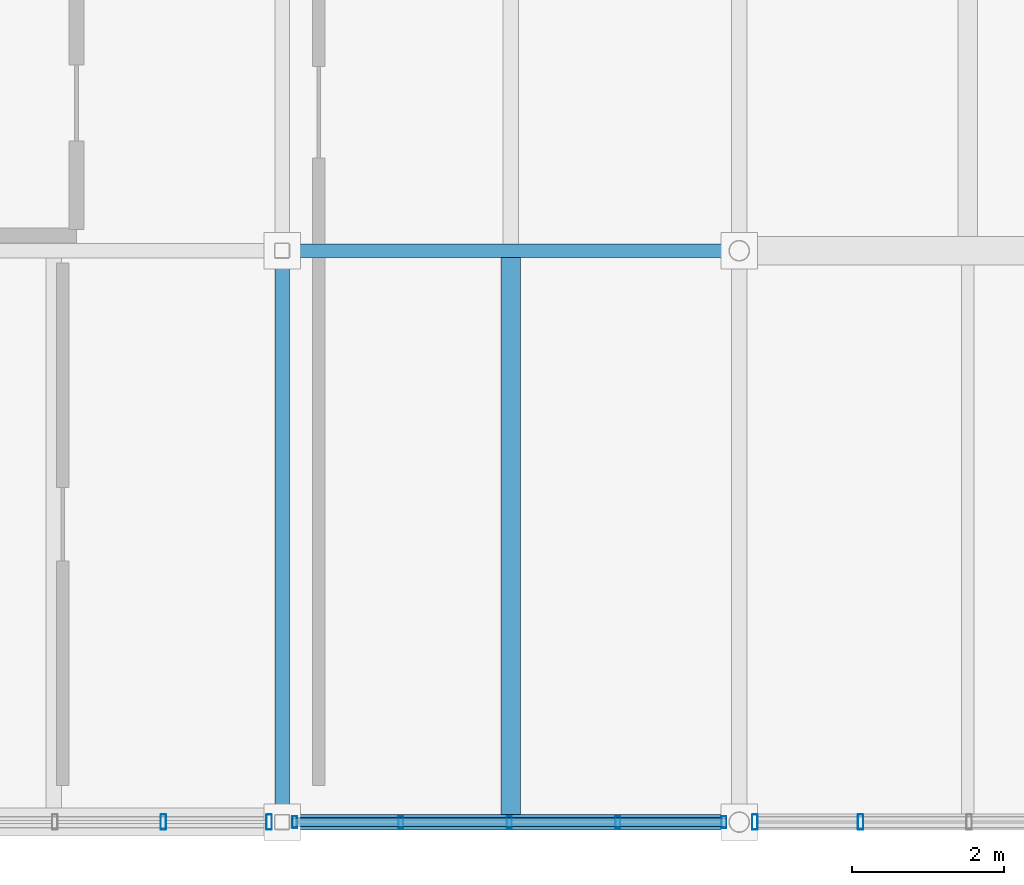
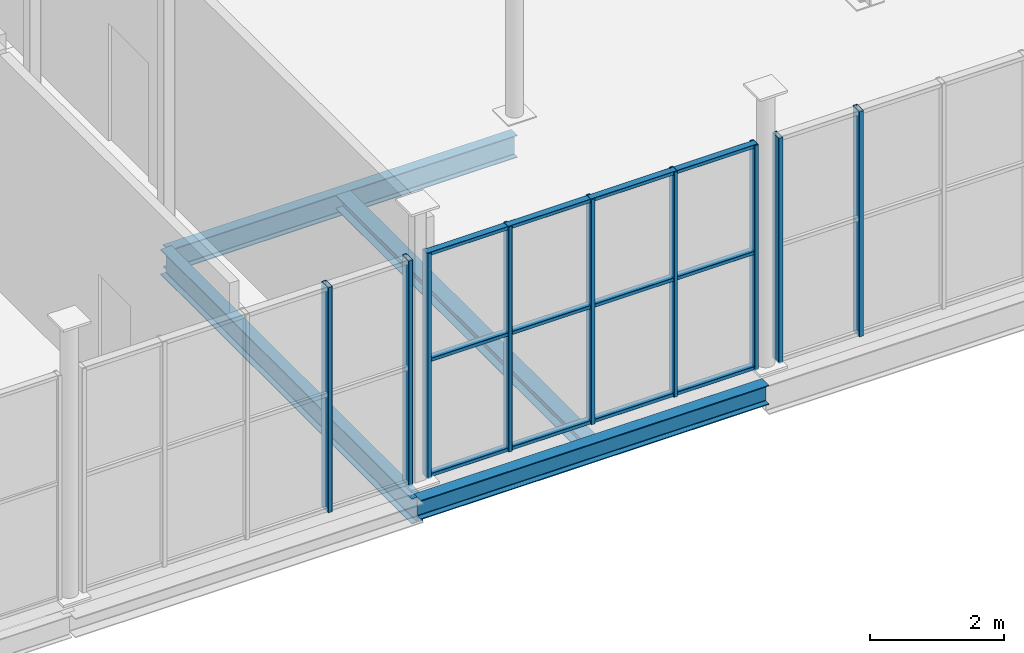
# One storey, part 9 of 27: 12 members, 4 beams, 3 elements without a shape of their own.
"""IFC4 building model written with IfcOpenShell, lengths in metres."""

from ifc_helpers import new_model, si_unit, direction, frame, origin, origin_2d, place, context, subcontext, project, spatial, hollow_rectangle, i_section, extrude, material, material_profile, profile_set, type_object, element, aggregate, save


model = new_model("IFC4")

# Units and contexts
model_context = context("Model", 3, precision=1e-05, world=origin(), true_north=direction((0.0, 1.0)))
body_context = subcontext(model_context, "Body", "Model", "MODEL_VIEW")
ifc_project = project(units=[si_unit("LENGTHUNIT", "METRE"), si_unit("AREAUNIT", "SQUARE_METRE"), si_unit("VOLUMEUNIT", "CUBIC_METRE"), si_unit("PLANEANGLEUNIT", "RADIAN"), si_unit("MASSUNIT", "GRAM", prefix="KILO")], contexts=[model_context])

# Site, building, storey
site_placement = place(None, origin())
site = spatial("IfcSite", under=ifc_project, at=site_placement, CompositionType="ELEMENT")
building_placement = place(site_placement, origin())
building = spatial("IfcBuilding", under=site, at=building_placement, Name="Verrall Gate Interchange", CompositionType="ELEMENT")
storey_placement = place(building_placement, frame((0.0, 0.0, 23.60009765625)))
storey = spatial("IfcBuildingStorey", under=building, at=storey_placement, Name="L06", CompositionType="ELEMENT", Elevation=23.60009765625)

# Beams
ifc_material_1 = material(Name="Structural Steel CSA G40.21 350W", Category="steel")
ifc_material_profile_1 = material_profile(ifc_material_1, i_section(OverallWidth=0.19189453125, OverallDepth=0.462890625, WebThickness=0.010498046875, FlangeThickness=0.017578125, FilletRadius=0.012939453125, at=origin_2d()), Name="W460x89")
ifc_profile_set_1 = profile_set([ifc_material_profile_1], Name="Structural Steel CSA G40.21 350W")
beam_type_1 = type_object("IfcBeamType", Name="B-11 Structural Beam W460x89", PredefinedType="BEAM", material=ifc_profile_set_1)
beam_1_placement = place(storey_placement, frame((18.0, 4.5, -0.5615234375), z_axis=(0.0, 1.0, 0.0), x_axis=(-1.0, 0.0, 0.0)))
element("IfcBeam", 1, at=beam_1_placement, inside=storey, type_object=beam_type_1, Name="L06 Girder BM-L06-3144 (B-11)", PredefinedType="BEAM", context=body_context, shape_type="SweptSolid", body=[
    extrude(i_section(OverallWidth=0.19189453125, OverallDepth=0.462890625, WebThickness=0.010498046875, FlangeThickness=0.017578125, FilletRadius=0.012939453125, at=origin_2d()), origin(), (0.0, 0.0, 1.0), 7.5),
])
ifc_material_2 = material(Name="Structural Steel CSA G40.21 350W", Category="steel")
ifc_material_profile_2 = material_profile(ifc_material_2, i_section(OverallWidth=0.178955078125, OverallDepth=0.409912109375, WebThickness=0.0087890625, FlangeThickness=0.014404296875, FilletRadius=0.011962890625, at=origin_2d()), Name="W410x67")
ifc_profile_set_2 = profile_set([ifc_material_profile_2], Name="Structural Steel CSA G40.21 350W")
beam_type_2 = type_object("IfcBeamType", Name="B-12 Structural Beam W410x67", PredefinedType="BEAM", material=ifc_profile_set_2)
beam_2_placement = place(storey_placement, frame((18.0, 12.0, -0.53515625), z_axis=(1.0, 0.0, 0.0), x_axis=(0.0, 1.0, 0.0)))
element("IfcBeam", 2, at=beam_2_placement, inside=storey, type_object=beam_type_2, Name="L06 Girder BM-L06-3062 (B-12)", PredefinedType="BEAM", context=body_context, shape_type="SweptSolid", body=[
    extrude(i_section(OverallWidth=0.178955078125, OverallDepth=0.409912109375, WebThickness=0.0087890625, FlangeThickness=0.014404296875, FilletRadius=0.011962890625, at=origin_2d()), origin(), (0.0, 0.0, 1.0), 6.0),
])
ifc_material_3 = material(Name="Structural Steel CSA G40.21 350W", Category="steel")
ifc_material_profile_3 = material_profile(ifc_material_3, i_section(OverallWidth=0.205078125, OverallDepth=0.35400390625, WebThickness=0.009521484375, FlangeThickness=0.016845703125, FilletRadius=0.012939453125, at=origin_2d()), Name="W360x79")
ifc_profile_set_3 = profile_set([ifc_material_profile_3], Name="Structural Steel CSA G40.21 350W")
beam_type_3 = type_object("IfcBeamType", Name="B-14 Structural Beam W360x79", PredefinedType="BEAM", material=ifc_profile_set_3)
beam_3_placement = place(storey_placement, frame((18.0, 4.5, -0.507080078125), z_axis=(1.0, 0.0, 0.0), x_axis=(0.0, 1.0, 0.0)))
element("IfcBeam", 3, at=beam_3_placement, inside=storey, type_object=beam_type_3, Name="L06 Girder BM-L06-3056 (B-14)", PredefinedType="BEAM", context=body_context, shape_type="SweptSolid", body=[
    extrude(i_section(OverallWidth=0.205078125, OverallDepth=0.35400390625, WebThickness=0.009521484375, FlangeThickness=0.016845703125, FilletRadius=0.012939453125, at=origin_2d()), origin(), (0.0, 0.0, 1.0), 6.0),
])

# Curtain wall, members
ifc_material_4 = material(Name="Thermally Broken Anodized Aluminium Curtain Wall Framing", Category="aluminium")
curtain_wall_type = type_object("IfcCurtainWallType", Name="CW-45 Unitized Curtain Wall 5698x4100", PredefinedType="NOTDEFINED", material=ifc_material_4)
curtain_wall_1_placement = place(storey_placement, origin())
curtain_wall_1 = element("IfcCurtainWall", 4, at=curtain_wall_1_placement, inside=storey, type_object=curtain_wall_type, Name="L06 Unitized Curtain Wall CW-L06-140", PredefinedType="NOTDEFINED")
ifc_material_5 = material(Name="Thermally Broken Anodized Aluminium Curtain Wall Framing", Category="aluminium")
ifc_material_profile_4 = material_profile(ifc_material_5, hollow_rectangle(XDim=0.06494140625, YDim=0.159912109375, WallThickness=0.00390625, InnerFilletRadius=0.00390625, OuterFilletRadius=0.008056640625, at=origin_2d()), Name="CWM160x65x4")
ifc_profile_set_4 = profile_set([ifc_material_profile_4], Name="Thermally Broken Anodized Aluminium Curtain Wall Framing")
member_type_1 = type_object("IfcMemberType", Name="CM-01 Curtain Mullion CWM160x65x4", PredefinedType="MULLION", material=ifc_profile_set_4)
member_1_placement = place(storey_placement, frame((18.166015625, 4.5, 0.0), z_axis=(0.0, 0.0, 1.0), x_axis=(1.0, 0.0, 0.0)))
member_1 = element("IfcMember", 5, at=member_1_placement, type_object=member_type_1, Name="CW-L06-140 Mullion 1", PredefinedType="MULLION", context=body_context, shape_type="SweptSolid", body=[
    extrude(hollow_rectangle(XDim=0.06494140625, YDim=0.159912109375, WallThickness=0.00390625, InnerFilletRadius=0.00390625, OuterFilletRadius=0.008056640625, at=origin_2d()), origin(), (0.0, 0.0, 1.0), 4.099853515625),
])
member_2_placement = place(storey_placement, frame((19.55810546875, 4.5, 0.0), z_axis=(0.0, 0.0, 1.0), x_axis=(1.0, 0.0, 0.0)))
member_2 = element("IfcMember", 6, at=member_2_placement, type_object=member_type_1, Name="CW-L06-140 Mullion 2", PredefinedType="MULLION", context=body_context, shape_type="SweptSolid", body=[
    extrude(hollow_rectangle(XDim=0.06494140625, YDim=0.159912109375, WallThickness=0.00390625, InnerFilletRadius=0.00390625, OuterFilletRadius=0.008056640625, at=origin_2d()), origin(), (0.0, 0.0, 1.0), 4.099853515625),
])
member_3_placement = place(storey_placement, frame((20.982421875, 4.5, 0.0), z_axis=(0.0, 0.0, 1.0), x_axis=(1.0, 0.0, 0.0)))
member_3 = element("IfcMember", 7, at=member_3_placement, type_object=member_type_1, Name="CW-L06-140 Mullion 3", PredefinedType="MULLION", context=body_context, shape_type="SweptSolid", body=[
    extrude(hollow_rectangle(XDim=0.06494140625, YDim=0.159912109375, WallThickness=0.00390625, InnerFilletRadius=0.00390625, OuterFilletRadius=0.008056640625, at=origin_2d()), origin(), (0.0, 0.0, 1.0), 4.099853515625),
])
member_4_placement = place(storey_placement, frame((22.406982421875, 4.5, 0.0), z_axis=(0.0, 0.0, 1.0), x_axis=(1.0, 0.0, 0.0)))
member_4 = element("IfcMember", 8, at=member_4_placement, type_object=member_type_1, Name="CW-L06-140 Mullion 4", PredefinedType="MULLION", context=body_context, shape_type="SweptSolid", body=[
    extrude(hollow_rectangle(XDim=0.06494140625, YDim=0.159912109375, WallThickness=0.00390625, InnerFilletRadius=0.00390625, OuterFilletRadius=0.008056640625, at=origin_2d()), origin(), (0.0, 0.0, 1.0), 4.099853515625),
])
member_5_placement = place(storey_placement, frame((23.798828125, 4.5, 0.0), z_axis=(0.0, 0.0, 1.0), x_axis=(1.0, 0.0, 0.0)))
member_5 = element("IfcMember", 9, at=member_5_placement, type_object=member_type_1, Name="CW-L06-140 Mullion 5", PredefinedType="MULLION", context=body_context, shape_type="SweptSolid", body=[
    extrude(hollow_rectangle(XDim=0.06494140625, YDim=0.159912109375, WallThickness=0.00390625, InnerFilletRadius=0.00390625, OuterFilletRadius=0.008056640625, at=origin_2d()), origin(), (0.0, 0.0, 1.0), 4.099853515625),
])

curtain_wall_2_placement = place(storey_placement, origin())
curtain_wall_2 = element("IfcCurtainWall", 10, at=curtain_wall_2_placement, inside=storey, type_object=curtain_wall_type, Name="L06 Unitized Curtain Wall CW-L06-139", PredefinedType="NOTDEFINED")
ifc_material_6 = material(Name="Thermally Broken Anodized Aluminium Curtain Wall Framing", Category="aluminium")
ifc_material_profile_5 = material_profile(ifc_material_6, hollow_rectangle(XDim=0.074951171875, YDim=0.199951171875, WallThickness=0.0048828125, InnerFilletRadius=0.0048828125, OuterFilletRadius=0.010009765625, at=origin_2d()), Name="CWM200x75x5")
ifc_profile_set_5 = profile_set([ifc_material_profile_5], Name="Thermally Broken Anodized Aluminium Curtain Wall Framing")
member_type_2 = type_object("IfcMemberType", Name="CM-02 Curtain Mullion CWM200x75x5", PredefinedType="MULLION", material=ifc_profile_set_5)
member_6_placement = place(storey_placement, frame((16.44189453125, 4.5, 0.0), z_axis=(0.0, 0.0, 1.0), x_axis=(1.0, 0.0, 0.0)))
member_6 = element("IfcMember", 11, at=member_6_placement, type_object=member_type_2, Name="CW-L06-139 Mullion 4", PredefinedType="MULLION", context=body_context, shape_type="SweptSolid", body=[
    extrude(hollow_rectangle(XDim=0.074951171875, YDim=0.199951171875, WallThickness=0.0048828125, InnerFilletRadius=0.0048828125, OuterFilletRadius=0.010009765625, at=origin_2d()), origin(), (0.0, 0.0, 1.0), 4.099853515625),
])
member_7_placement = place(storey_placement, frame((17.8291015625, 4.5, 0.0), z_axis=(0.0, 0.0, 1.0), x_axis=(1.0, 0.0, 0.0)))
member_7 = element("IfcMember", 12, at=member_7_placement, type_object=member_type_2, Name="CW-L06-139 Mullion 5", PredefinedType="MULLION", context=body_context, shape_type="SweptSolid", body=[
    extrude(hollow_rectangle(XDim=0.074951171875, YDim=0.199951171875, WallThickness=0.0048828125, InnerFilletRadius=0.0048828125, OuterFilletRadius=0.010009765625, at=origin_2d()), origin(), (0.0, 0.0, 1.0), 4.099853515625),
])
aggregate(curtain_wall_2, [member_6, member_7])

curtain_wall_3_placement = place(storey_placement, origin())
curtain_wall_3 = element("IfcCurtainWall", 13, at=curtain_wall_3_placement, inside=storey, type_object=curtain_wall_type, Name="L06 Unitized Curtain Wall CW-L06-141", PredefinedType="NOTDEFINED")
member_8_placement = place(storey_placement, frame((24.2060546875, 4.5, 0.0), z_axis=(0.0, 0.0, 1.0), x_axis=(1.0, 0.0, 0.0)))
member_8 = element("IfcMember", 14, at=member_8_placement, type_object=member_type_2, Name="CW-L06-141 Mullion 1", PredefinedType="MULLION", context=body_context, shape_type="SweptSolid", body=[
    extrude(hollow_rectangle(XDim=0.074951171875, YDim=0.199951171875, WallThickness=0.0048828125, InnerFilletRadius=0.0048828125, OuterFilletRadius=0.010009765625, at=origin_2d()), origin(), (0.0, 0.0, 1.0), 4.099853515625),
])
member_9_placement = place(storey_placement, frame((25.593017578125, 4.5, 0.0), z_axis=(0.0, 0.0, 1.0), x_axis=(1.0, 0.0, 0.0)))
member_9 = element("IfcMember", 15, at=member_9_placement, type_object=member_type_2, Name="CW-L06-141 Mullion 2", PredefinedType="MULLION", context=body_context, shape_type="SweptSolid", body=[
    extrude(hollow_rectangle(XDim=0.074951171875, YDim=0.199951171875, WallThickness=0.0048828125, InnerFilletRadius=0.0048828125, OuterFilletRadius=0.010009765625, at=origin_2d()), origin(), (0.0, 0.0, 1.0), 4.099853515625),
])
aggregate(curtain_wall_3, [member_8, member_9])

# Member
ifc_material_7 = material(Name="Thermally Broken Anodized Aluminium Curtain Wall Framing", Category="aluminium")
ifc_material_profile_6 = material_profile(ifc_material_7, hollow_rectangle(XDim=0.1201171875, YDim=0.06494140625, WallThickness=0.00390625, InnerFilletRadius=0.00390625, OuterFilletRadius=0.008056640625, at=origin_2d()), Name="CWT120x65x4")
ifc_profile_set_6 = profile_set([ifc_material_profile_6], Name="Thermally Broken Anodized Aluminium Curtain Wall Framing")
member_type_3 = type_object("IfcMemberType", Name="CT-01 Curtain Transom CWT120x65x4", PredefinedType="USERDEFINED", material=ifc_profile_set_6)
member_10_placement = place(storey_placement, frame((18.133544921875, 4.5, 0.032470703125), z_axis=(1.0, 0.0, 0.0), x_axis=(0.0, 1.0, 0.0)))
member_10 = element("IfcMember", 16, at=member_10_placement, type_object=member_type_3, Name="CW-L06-140 Transom 1", ObjectType="TRANSOM", PredefinedType="USERDEFINED", context=body_context, shape_type="SweptSolid", body=[
    extrude(hollow_rectangle(XDim=0.1201171875, YDim=0.06494140625, WallThickness=0.00390625, InnerFilletRadius=0.00390625, OuterFilletRadius=0.008056640625, at=origin_2d()), origin(), (0.0, 0.0, 1.0), 5.69775390625),
])

member_11_placement = place(storey_placement, frame((18.133544921875, 4.5, 2.1318359375), z_axis=(1.0, 0.0, 0.0), x_axis=(0.0, 1.0, 0.0)))
member_11 = element("IfcMember", 17, at=member_11_placement, type_object=member_type_3, Name="CW-L06-140 Transom 2", ObjectType="TRANSOM", PredefinedType="USERDEFINED", context=body_context, shape_type="SweptSolid", body=[
    extrude(hollow_rectangle(XDim=0.1201171875, YDim=0.06494140625, WallThickness=0.00390625, InnerFilletRadius=0.00390625, OuterFilletRadius=0.008056640625, at=origin_2d()), origin(), (0.0, 0.0, 1.0), 5.69775390625),
])

member_12_placement = place(storey_placement, frame((18.133544921875, 4.5, 4.0673828125), z_axis=(1.0, 0.0, 0.0), x_axis=(0.0, 1.0, 0.0)))
member_12 = element("IfcMember", 18, at=member_12_placement, type_object=member_type_3, Name="CW-L06-140 Transom 3", ObjectType="TRANSOM", PredefinedType="USERDEFINED", context=body_context, shape_type="SweptSolid", body=[
    extrude(hollow_rectangle(XDim=0.1201171875, YDim=0.06494140625, WallThickness=0.00390625, InnerFilletRadius=0.00390625, OuterFilletRadius=0.008056640625, at=origin_2d()), origin(), (0.0, 0.0, 1.0), 5.69775390625),
])

aggregate(curtain_wall_1, [member_1, member_2, member_3, member_4, member_5, member_10, member_11, member_12])

# Beam
ifc_material_8 = material(Name="Structural Steel CSA G40.21 350W", Category="steel")
ifc_material_profile_7 = material_profile(ifc_material_8, i_section(OverallWidth=0.25390625, OverallDepth=0.2529296875, WebThickness=0.008544921875, FlangeThickness=0.01416015625, FilletRadius=0.011962890625, at=origin_2d()), Name="W250x73")
ifc_profile_set_7 = profile_set([ifc_material_profile_7], Name="Structural Steel CSA G40.21 350W")
beam_type_4 = type_object("IfcBeamType", Name="J-05 Floor Joist W250x73", PredefinedType="JOIST", material=ifc_profile_set_7)
beam_4_placement = place(storey_placement, frame((21.0, 4.6025390625, -0.45654296875), z_axis=(0.0, 1.0, 0.0), x_axis=(-1.0, 0.0, 0.0)))
element("IfcBeam", 19, at=beam_4_placement, inside=storey, type_object=beam_type_4, Name="L06 Secondary Floor Joist JST-L06-3186", PredefinedType="JOIST", context=body_context, shape_type="SweptSolid", body=[
    extrude(i_section(OverallWidth=0.25390625, OverallDepth=0.2529296875, WebThickness=0.008544921875, FlangeThickness=0.01416015625, FilletRadius=0.011962890625, at=origin_2d()), origin(), (0.0, 0.0, 1.0), 7.307861328125),
])

save(model, "model.ifc")
